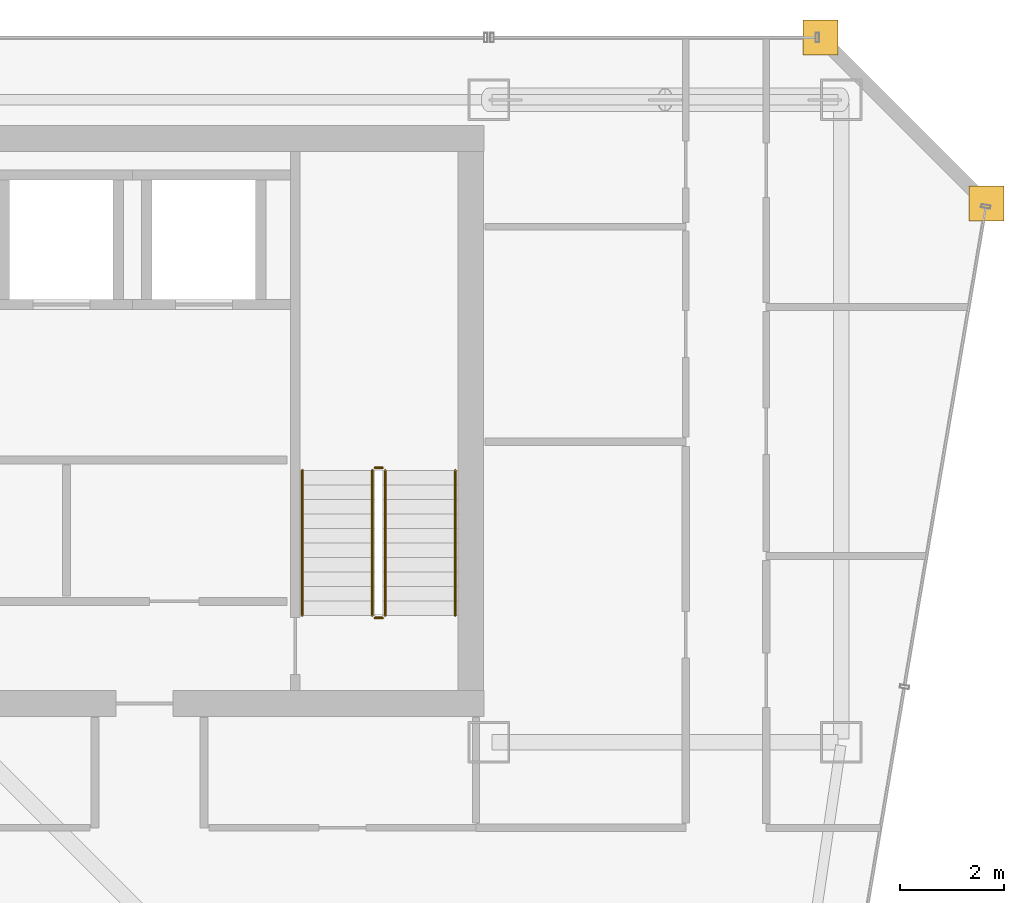
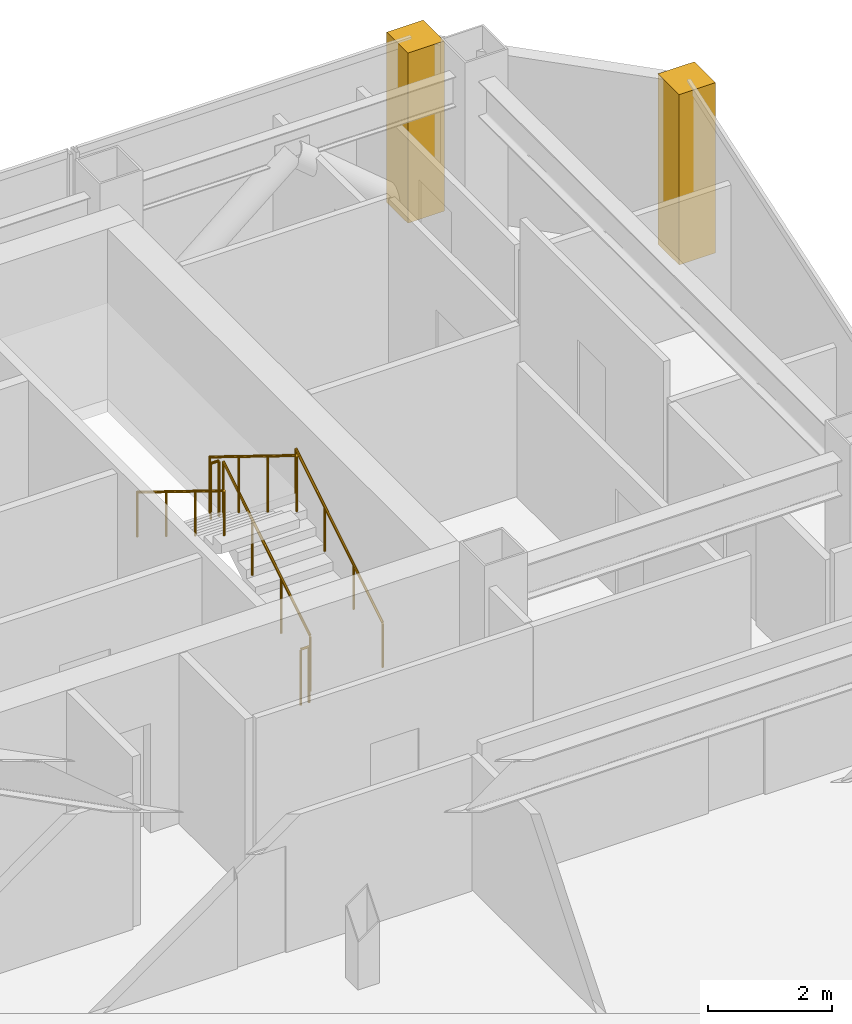
# One storey, part 34 of 34: 6 railings, 2 coverings.
"""IFC4 building model written with IfcOpenShell, lengths in metres."""

from ifc_helpers import new_model, si_unit, direction, frame, origin, origin_2d, place, context, subcontext, project, spatial, polyline, circle, outline, extrude, material, layer, layer_set, type_object, element, save


model = new_model("IFC4")

# Units and contexts
model_context = context("Model", 3, precision=1e-05, world=origin(), true_north=direction((0.0, 1.0)))
body_context = subcontext(model_context, "Body", "Model", "MODEL_VIEW")
ifc_project = project(units=[si_unit("LENGTHUNIT", "METRE"), si_unit("AREAUNIT", "SQUARE_METRE"), si_unit("VOLUMEUNIT", "CUBIC_METRE"), si_unit("PLANEANGLEUNIT", "RADIAN"), si_unit("MASSUNIT", "GRAM", prefix="KILO")], contexts=[model_context])

# Site, building, storey
site_placement = place(None, origin())
site = spatial("IfcSite", under=ifc_project, at=site_placement, CompositionType="ELEMENT")
building_placement = place(site_placement, origin())
building = spatial("IfcBuilding", under=site, at=building_placement, Name="Saevonmaru Cultural Tower", CompositionType="ELEMENT")
storey_placement = place(building_placement, frame((0.0, 0.0, 220.800048828125)))
storey = spatial("IfcBuildingStorey", under=building, at=storey_placement, Name="L51", CompositionType="ELEMENT", Elevation=220.800048828125)

# Coverings
ifc_material_1 = material(Name="Satin Bronze Anodised Aluminium", Category="aluminium")
ifc_layer = layer(ifc_material_1, 0.679931640625, Name="Satin Bronze Anodised Aluminium")
ifc_layer_set = layer_set([ifc_layer], Name="Satin Bronze Anodised Aluminium")
covering_type = type_object("IfcCoveringType", Name="CV-CORNER-CLAD", PredefinedType="CLADDING", material=ifc_layer_set)
covering_1_placement = place(storey_placement, origin())
element("IfcCovering", 1, at=covering_1_placement, inside=storey, type_object=covering_type, Name="L51 Tower Bronze Corner Cladding Pier 9", PredefinedType="CLADDING", context=body_context, shape_type="SweptSolid", body=[
    extrude(outline(polyline([(55.659912109375, 52.4599609375), (56.340087890625, 52.4599609375), (56.340087890625, 53.139892578125), (55.659912109375, 53.139892578125), (55.659912109375, 52.4599609375)])), origin(), (0.0, 0.0, 1.0), 3.349853515625),
])
covering_2_placement = place(storey_placement, origin())
element("IfcCovering", 2, at=covering_2_placement, inside=storey, type_object=covering_type, Name="L51 Tower Bronze Corner Cladding Pier 10", PredefinedType="CLADDING", context=body_context, shape_type="SweptSolid", body=[
    extrude(outline(polyline([(52.4599609375, 55.659912109375), (53.139892578125, 55.659912109375), (53.139892578125, 56.340087890625), (52.4599609375, 56.340087890625), (52.4599609375, 55.659912109375)])), origin(), (0.0, 0.0, 1.0), 3.349853515625),
])

# Railings
ifc_material_2 = material(Name="Architectural Painted Steel", Category="steel")
railing_type_1 = type_object("IfcRailingType", Name="RL-STAIR-GUARD", PredefinedType="GUARDRAIL", material=ifc_material_2)
railing_1_placement = place(storey_placement, frame((44.39990234375, 44.85009765625, 0.172607421875)))
element("IfcRailing", 3, at=railing_1_placement, inside=storey, type_object=railing_type_1, Name="L51 ST-2 stair guard 1", PredefinedType="GUARDRAIL", context=body_context, shape_type="SweptSolid", body=[
    extrude(circle(Radius=0.02392578125, at=origin_2d()), frame((0.0, 0.0, 1.09619140625), z_axis=(0.0, 0.851069175582, 0.525053576669), x_axis=(-1.0, 0.0, 0.0)), (0.0, 0.0, 1.0), 3.289794921875),
    extrude(circle(Radius=0.02099609375, at=origin_2d()), origin(), (0.0, 0.0, 1.0), 1.072021484375),
    extrude(circle(Radius=0.02099609375, at=origin_2d()), frame((0.0, 0.933349609375, 0.57568359375)), (0.0, 0.0, 1.0), 1.072021484375),
    extrude(circle(Radius=0.02099609375, at=origin_2d()), frame((0.0, 1.866455078125, 1.151611328125)), (0.0, 0.0, 1.0), 1.072021484375),
    extrude(circle(Radius=0.02099609375, at=origin_2d()), frame((0.0, 2.7998046875, 1.727294921875)), (0.0, 0.0, 1.0), 1.072021484375),
])
railing_2_placement = place(storey_placement, frame((44.35009765625, 47.699951171875, 1.89990234375)))
element("IfcRailing", 4, at=railing_2_placement, inside=storey, type_object=railing_type_1, Name="L51 ST-2 stair guard 2", PredefinedType="GUARDRAIL", context=body_context, shape_type="SweptSolid", body=[
    extrude(circle(Radius=0.02392578125, at=origin_2d()), frame((0.0, 0.0, 1.09619140625), z_axis=(-1.0, 0.0, 0.0), x_axis=(0.0, -1.0, 0.0)), (0.0, 0.0, 1.0), 0.150146484375),
    extrude(circle(Radius=0.02099609375, at=origin_2d()), origin(), (0.0, 0.0, 1.0), 1.072021484375),
    extrude(circle(Radius=0.02099609375, at=origin_2d()), frame((-0.150146484375, 0.0, 0.0)), (0.0, 0.0, 1.0), 1.072021484375),
])
railing_3_placement = place(storey_placement, frame((44.14990234375, 47.64990234375, 2.07275390625)))
element("IfcRailing", 5, at=railing_3_placement, inside=storey, type_object=railing_type_1, Name="L51 ST-2 stair guard 3", PredefinedType="GUARDRAIL", context=body_context, shape_type="SweptSolid", body=[
    extrude(circle(Radius=0.02392578125, at=origin_2d()), frame((0.0, 0.0, 1.09619140625), z_axis=(0.0, -0.851069175582, 0.525053576669), x_axis=(1.0, 0.0, 0.0)), (0.0, 0.0, 1.0), 3.289794921875),
    extrude(circle(Radius=0.02099609375, at=origin_2d()), origin(), (0.0, 0.0, 1.0), 1.072021484375),
    extrude(circle(Radius=0.02099609375, at=origin_2d()), frame((0.0, -0.933349609375, 0.57568359375)), (0.0, 0.0, 1.0), 1.072021484375),
    extrude(circle(Radius=0.02099609375, at=origin_2d()), frame((0.0, -1.866455078125, 1.151611328125)), (0.0, 0.0, 1.0), 1.072021484375),
    extrude(circle(Radius=0.02099609375, at=origin_2d()), frame((0.0, -2.7998046875, 1.727294921875)), (0.0, 0.0, 1.0), 1.072021484375),
])
railing_4_placement = place(storey_placement, frame((44.35009765625, 44.800048828125, 0.0)))
element("IfcRailing", 6, at=railing_4_placement, inside=storey, type_object=railing_type_1, Name="L51 ST-2 stair guard 4", PredefinedType="GUARDRAIL", context=body_context, shape_type="SweptSolid", body=[
    extrude(circle(Radius=0.02392578125, at=origin_2d()), frame((0.0, 0.0, 1.09619140625), z_axis=(-1.0, 0.0, 0.0), x_axis=(0.0, -1.0, 0.0)), (0.0, 0.0, 1.0), 0.150146484375),
    extrude(circle(Radius=0.02099609375, at=origin_2d()), origin(), (0.0, 0.0, 1.0), 1.072021484375),
    extrude(circle(Radius=0.02099609375, at=origin_2d()), frame((-0.150146484375, 0.0, 0.0)), (0.0, 0.0, 1.0), 1.072021484375),
])
railing_type_2 = type_object("IfcRailingType", Name="RL-STAIR-HANDRAIL", PredefinedType="HANDRAIL", material=ifc_material_1)
railing_5_placement = place(storey_placement, frame((45.75, 44.85009765625, 0.172607421875)))
element("IfcRailing", 7, at=railing_5_placement, inside=storey, type_object=railing_type_2, Name="L51 ST-2 stair handrail 1", PredefinedType="HANDRAIL", context=body_context, shape_type="SweptSolid", body=[
    extrude(circle(Radius=0.02392578125, at=origin_2d()), frame((0.0, 0.0, 0.8759765625), z_axis=(0.0, 0.851069175582, 0.525053576669), x_axis=(-1.0, 0.0, 0.0)), (0.0, 0.0, 1.0), 3.289794921875),
    extrude(circle(Radius=0.02099609375, at=origin_2d()), origin(), (0.0, 0.0, 1.0), 0.851806640625),
    extrude(circle(Radius=0.02099609375, at=origin_2d()), frame((0.0, 0.933349609375, 0.57568359375)), (0.0, 0.0, 1.0), 0.851806640625),
    extrude(circle(Radius=0.02099609375, at=origin_2d()), frame((0.0, 1.866455078125, 1.151611328125)), (0.0, 0.0, 1.0), 0.851806640625),
    extrude(circle(Radius=0.02099609375, at=origin_2d()), frame((0.0, 2.7998046875, 1.727294921875)), (0.0, 0.0, 1.0), 0.851806640625),
])
railing_6_placement = place(storey_placement, frame((42.800048828125, 47.64990234375, 2.07275390625)))
element("IfcRailing", 8, at=railing_6_placement, inside=storey, type_object=railing_type_2, Name="L51 ST-2 stair handrail 2", PredefinedType="HANDRAIL", context=body_context, shape_type="SweptSolid", body=[
    extrude(circle(Radius=0.02392578125, at=origin_2d()), frame((0.0, 0.0, 0.8759765625), z_axis=(0.0, -0.851069175582, 0.525053576669), x_axis=(1.0, 0.0, 0.0)), (0.0, 0.0, 1.0), 3.289794921875),
    extrude(circle(Radius=0.02099609375, at=origin_2d()), origin(), (0.0, 0.0, 1.0), 0.851806640625),
    extrude(circle(Radius=0.02099609375, at=origin_2d()), frame((0.0, -0.933349609375, 0.57568359375)), (0.0, 0.0, 1.0), 0.851806640625),
    extrude(circle(Radius=0.02099609375, at=origin_2d()), frame((0.0, -1.866455078125, 1.151611328125)), (0.0, 0.0, 1.0), 0.851806640625),
    extrude(circle(Radius=0.02099609375, at=origin_2d()), frame((0.0, -2.7998046875, 1.727294921875)), (0.0, 0.0, 1.0), 0.851806640625),
])

save(model, "model.ifc")
